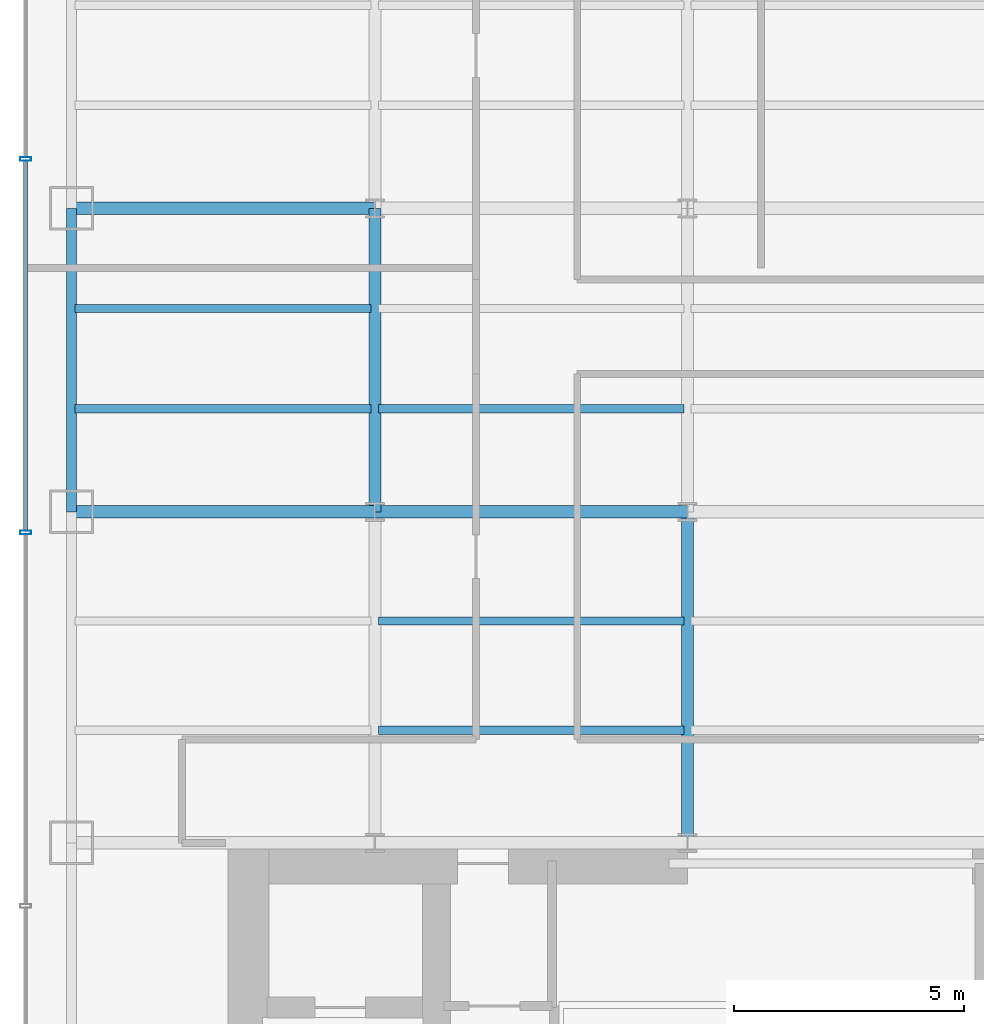
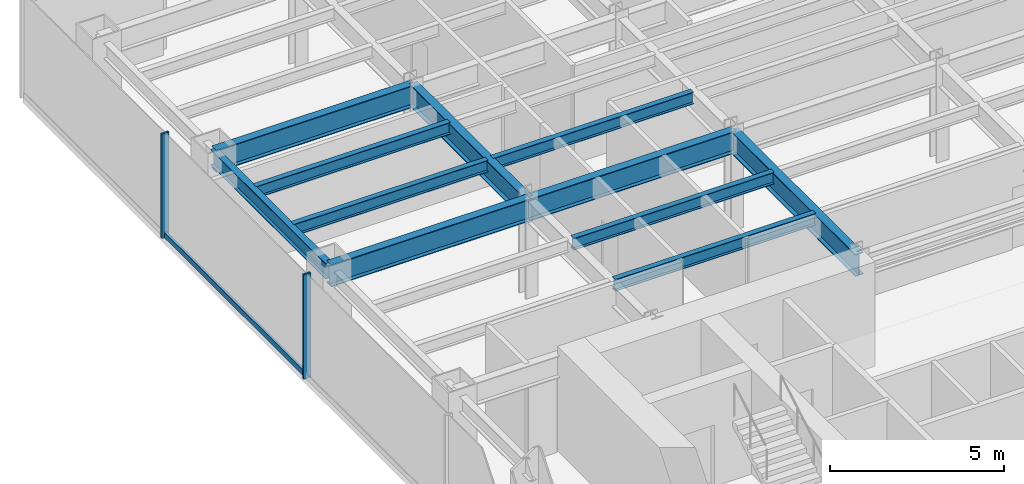
# One storey, part 4 of 22: 11 beams, 3 members, 1 element without a shape of its own.
"""IFC4 building model written with IfcOpenShell, lengths in metres."""

import ifcopenshell
import ifcopenshell.guid

model = None  # the IFC model being written
_history = None  # IfcOwnerHistory: only IFC2X3 demands one
_inside = {}  # id of a spatial element -> (the spatial element, [elements in it])
_under = {}  # id of a project, library or spatial element -> (it, [spatial elements below it])
_declared = {}  # id of a project -> (the project, [libraries it declares])
_typed = {}  # id of a type object -> (the type object, [elements of that type])
_made_of = {}  # id of a material, layer set ... -> (it, [elements and type objects made of it])


def new_model(schema):
    """Start an empty IFC model of exactly this schema.

    Asked for "IFC4X3", IfcOpenShell would pick the latest addendum, in which some entities
    have other attributes; the version numbers below select the first issue.
    IFC2X3 requires an IfcOwnerHistory on every rooted entity: one is made here for all.
    """
    global model, _history
    if schema == "IFC4X3":
        model = ifcopenshell.file(schema_version=(4, 3, 0, 0))
    else:
        model = ifcopenshell.file(schema=schema)
    _inside.clear()
    _under.clear()
    _declared.clear()
    _typed.clear()
    _made_of.clear()
    _history = None
    if model.schema == "IFC2X3":
        org = make("IfcOrganization", Name="unknown")
        user = make(
            "IfcPersonAndOrganization",
            ThePerson=make("IfcPerson", FamilyName="unknown"),
            TheOrganization=org,
        )
        app = make(
            "IfcApplication",
            ApplicationDeveloper=org,
            Version="unknown",
            ApplicationFullName="unknown",
            ApplicationIdentifier="unknown",
        )
        _history = make(
            "IfcOwnerHistory",
            OwningUser=user,
            OwningApplication=app,
            ChangeAction="ADDED",
            CreationDate=0,
        )
    return model


def make(cls, **values):
    """One entity of the class cls with the attributes given. An attribute that is None is left unset."""
    return model.create_entity(
        cls, **{name: value for name, value in values.items() if value is not None}
    )


def rooted(cls, **values):
    """An entity with a GlobalId (a new one), such as an element, a storey or a relation."""
    return make(cls, GlobalId=ifcopenshell.guid.new(), OwnerHistory=_history, **values)


def si_unit(unit_type, name, prefix=None):
    """IfcSIUnit, for example si_unit("LENGTHUNIT", "METRE", prefix="MILLI")."""
    return make("IfcSIUnit", UnitType=unit_type, Prefix=prefix, Name=name)


def derived_unit(unit_type, elements):
    """IfcDerivedUnit: a product of units, each with its exponent."""
    return make(
        "IfcDerivedUnit",
        Elements=[
            make("IfcDerivedUnitElement", Unit=unit, Exponent=power)
            for unit, power in elements
        ],
        UnitType=unit_type,
    )


def assignment(units):
    """IfcUnitAssignment: the units of a project."""
    return None if units is None else make("IfcUnitAssignment", Units=units)


def point(xyz):
    """IfcCartesianPoint."""
    return None if xyz is None else make("IfcCartesianPoint", Coordinates=xyz)


def direction(xyz):
    """IfcDirection."""
    return None if xyz is None else make("IfcDirection", DirectionRatios=xyz)


def frame(location, z_axis=None, x_axis=None):
    """IfcAxis2Placement3D, a coordinate frame: its origin and axes. An axis left out is left unset."""
    return make(
        "IfcAxis2Placement3D",
        Location=point(location),
        Axis=direction(z_axis),
        RefDirection=direction(x_axis),
    )


def frame_2d(location, x_axis=None):
    """IfcAxis2Placement2D, a coordinate frame in the plane: its origin and x axis."""
    return make(
        "IfcAxis2Placement2D", Location=point(location), RefDirection=direction(x_axis)
    )


def origin():
    """The frame at (0, 0, 0) with its axes left unset."""
    return frame((0.0, 0.0, 0.0))


def origin_2d():
    """The frame at (0, 0) in the plane with its x axis left unset."""
    return frame_2d((0.0, 0.0))


def place(relative_to, where):
    """IfcLocalPlacement: puts the frame where relative to a parent placement (None: the world)."""
    return make(
        "IfcLocalPlacement", PlacementRelTo=relative_to, RelativePlacement=where
    )


def context(
    kind, dimensions, precision=None, world=None, true_north=None, identifier=None
):
    """IfcGeometricRepresentationContext, for example the 3D "Model" context."""
    return make(
        "IfcGeometricRepresentationContext",
        ContextIdentifier=identifier,
        ContextType=kind,
        CoordinateSpaceDimension=dimensions,
        Precision=precision,
        WorldCoordinateSystem=world,
        TrueNorth=true_north,
    )


def subcontext(parent, identifier, kind, view, scale=None):
    """IfcGeometricRepresentationSubContext, for example "Body" below "Model"."""
    return make(
        "IfcGeometricRepresentationSubContext",
        ContextIdentifier=identifier,
        ContextType=kind,
        ParentContext=parent,
        TargetScale=scale,
        TargetView=view,
    )


def project(units=None, contexts=None):
    """IfcProject with its units and contexts."""
    return rooted(
        "IfcProject",
        Name="project",
        RepresentationContexts=contexts,
        UnitsInContext=assignment(units),
    )


def spatial(cls, under=None, at=None, **own):
    """A site, building, storey or space (cls), placed at a placement, below another one or the project."""
    s = rooted(cls, ObjectPlacement=at, **own)
    if under is not None:
        _under.setdefault(under.id(), (under, []))[1].append(s)
    return s


def profile(cls, at=None, kind="AREA", **sizes):
    """A parametric profile (cls). Its sizes go by their IFC names, for example OverallWidth=200.0."""
    return make(cls, ProfileType=kind, Position=at, **sizes)


def hollow_rectangle(**sizes):
    """IfcRectangleHollowProfileDef."""
    return profile("IfcRectangleHollowProfileDef", **sizes)


def i_section(**sizes):
    """IfcIShapeProfileDef."""
    return profile("IfcIShapeProfileDef", **sizes)


def extrude(swept, where, along, depth):
    """IfcExtrudedAreaSolid: the profile swept, set in the frame where, extruded along a direction by depth."""
    return make(
        "IfcExtrudedAreaSolid",
        SweptArea=swept,
        Position=where,
        ExtrudedDirection=direction(along),
        Depth=depth,
    )


def shape(context_of_items, identifier, shape_type, items):
    """IfcShapeRepresentation: the items that make up one representation, for example the "Body"."""
    return make(
        "IfcShapeRepresentation",
        ContextOfItems=context_of_items,
        RepresentationIdentifier=identifier,
        RepresentationType=shape_type,
        Items=items,
    )


def source(mapping_origin, context_of_items, identifier, shape_type, items):
    """IfcRepresentationMap: a shape defined once, which mapped items show again and again."""
    return make(
        "IfcRepresentationMap",
        MappingOrigin=mapping_origin,
        MappedRepresentation=shape(context_of_items, identifier, shape_type, items),
    )


def transform(
    local_origin,
    x_axis=None,
    y_axis=None,
    z_axis=None,
    scale=None,
    scale2=None,
    scale3=None,
    uniform=True,
):
    """IfcCartesianTransformationOperator3D, or its non-uniform kind. x_axis, y_axis, z_axis: its Axis1, 2, 3."""
    if uniform:
        return make(
            "IfcCartesianTransformationOperator3D",
            Axis1=direction(x_axis),
            Axis2=direction(y_axis),
            LocalOrigin=point(local_origin),
            Scale=scale,
            Axis3=direction(z_axis),
        )
    return make(
        "IfcCartesianTransformationOperator3DnonUniform",
        Axis1=direction(x_axis),
        Axis2=direction(y_axis),
        LocalOrigin=point(local_origin),
        Scale=scale,
        Axis3=direction(z_axis),
        Scale2=scale2,
        Scale3=scale3,
    )


def mapped(mapping_source, mapping_target):
    """IfcMappedItem: shows the shape of a source again, moved by a transform."""
    return make(
        "IfcMappedItem", MappingSource=mapping_source, MappingTarget=mapping_target
    )


def material(Name=None, Category=None):
    """IfcMaterial."""
    return make("IfcMaterial", Name=Name, Category=Category)


def material_profile(
    of_material, cross_section, Name=None, Category=None, Priority=None
):
    """IfcMaterialProfile: a cross section and its material."""
    return make(
        "IfcMaterialProfile",
        Name=Name,
        Material=of_material,
        Profile=cross_section,
        Priority=Priority,
        Category=Category,
    )


def profile_set(profiles, Name=None, composite=None):
    """IfcMaterialProfileSet."""
    return make(
        "IfcMaterialProfileSet",
        Name=Name,
        MaterialProfiles=profiles,
        CompositeProfile=composite,
    )


def made_of(thing, what):
    """Note that an element or type object is made of a material, layer set ...; save() writes the relation."""
    if what is not None:
        _made_of.setdefault(what.id(), (what, []))[1].append(thing)
    return thing


def type_object(cls, material=None, **own):
    """A type object (cls), such as IfcWallType, which elements share."""
    return made_of(rooted(cls, **own), material)


def element(
    cls,
    number,
    at=None,
    inside=None,
    cuts=None,
    type_object=None,
    material=None,
    context=None,
    identifier="Body",
    shape_type=None,
    held_by="IfcProductDefinitionShape",
    body=None,
    shapes=None,
    **own,
):
    """One element of the class cls, such as IfcWall. Its Tag is "e" and its number.

    at: its placement. inside: the storey or other place that contains it. cuts: it is an
    opening in that element (IfcRelVoidsElement). A single representation is given by context,
    identifier, shape_type and body (its items); several are given by shapes. held_by: the class
    of the entity that holds the representations. save() writes the other relations.
    """
    e = rooted(cls, Tag="e%d" % number, ObjectPlacement=at, **own)
    if body is not None:
        shapes = [shape(context, identifier, shape_type, body)]
    if shapes is not None:
        e.Representation = make(held_by, Representations=shapes)
    if inside is not None:
        _inside.setdefault(inside.id(), (inside, []))[1].append(e)
    if cuts is not None:
        rooted(
            "IfcRelVoidsElement", RelatingBuildingElement=cuts, RelatedOpeningElement=e
        )
    if type_object is not None:
        _typed.setdefault(type_object.id(), (type_object, []))[1].append(e)
    return made_of(e, material)


def aggregate(whole, parts):
    """IfcRelAggregates: a whole, such as a stair, and the parts it consists of."""
    return rooted("IfcRelAggregates", RelatingObject=whole, RelatedObjects=parts)


def save(model, path):
    """Write the relations noted so far, then the file.

    IfcRelAggregates (storeys below a building ...), IfcRelContainedInSpatialStructure (elements
    in a storey), IfcRelDefinesByType, IfcRelAssociatesMaterial and IfcRelDeclares: one each for
    every whole, place, type object, material and project.
    """
    for whole, parts in _under.values():
        aggregate(whole, parts)
    for where, things in _inside.values():
        rooted(
            "IfcRelContainedInSpatialStructure",
            RelatedElements=things,
            RelatingStructure=where,
        )
    for kind, things in _typed.values():
        rooted("IfcRelDefinesByType", RelatedObjects=things, RelatingType=kind)
    for what, things in _made_of.values():
        rooted("IfcRelAssociatesMaterial", RelatedObjects=things, RelatingMaterial=what)
    for by, libraries in _declared.values():
        rooted("IfcRelDeclares", RelatingContext=by, RelatedDefinitions=libraries)
    model.write(path)


model = new_model("IFC4")

# Units and contexts
model_context = context("Model", 3, precision=1e-05, world=origin(), true_north=direction((0.0, 1.0)))
body_context = subcontext(model_context, "Body", "Model", "MODEL_VIEW")
ifc_project = project(units=[si_unit("LENGTHUNIT", "METRE"), si_unit("AREAUNIT", "SQUARE_METRE"), si_unit("VOLUMEUNIT", "CUBIC_METRE"), si_unit("PLANEANGLEUNIT", "RADIAN"), si_unit("MASSUNIT", "GRAM", prefix="KILO"), derived_unit("THERMALTRANSMITTANCEUNIT", [(si_unit("POWERUNIT", "WATT"), 1), (si_unit("LENGTHUNIT", "METRE"), -2), (si_unit("THERMODYNAMICTEMPERATUREUNIT", "KELVIN"), -1)])], contexts=[model_context])

# Site, building, storey
site_placement = place(None, origin())
site = spatial("IfcSite", under=ifc_project, at=site_placement, CompositionType="ELEMENT")
building_placement = place(site_placement, origin())
building = spatial("IfcBuilding", under=site, at=building_placement, Name="Skarnbrae Concourse Arena and Tower", CompositionType="ELEMENT")
storey_placement = place(building_placement, frame((0.0, 0.0, 61.699951171875)))
storey = spatial("IfcBuildingStorey", under=building, at=storey_placement, Name="L14", CompositionType="ELEMENT", Elevation=61.699951171875)

# Beams
ifc_material_1 = material(Name="Steel CSA G40.21 350W", Category="steel")
ifc_material_profile_1 = material_profile(ifc_material_1, i_section(OverallWidth=0.26806640625, OverallDepth=0.77001953125, WebThickness=0.015625, FlangeThickness=0.025390625, at=origin_2d()), Name="W760X196")
ifc_profile_set_1 = profile_set([ifc_material_profile_1], Name="Steel CSA G40.21 350W")
beam_type_1 = type_object("IfcBeamType", Name="BM-GIRD-W760X196", PredefinedType="BEAM", material=ifc_profile_set_1)
shared_shape_1 = source(origin(), body_context, "Body", "SweptSolid", [
    extrude(i_section(OverallWidth=0.26806640625, OverallDepth=0.77001953125, WebThickness=0.015625, FlangeThickness=0.025390625, at=origin_2d()), origin(), (0.0, 0.0, 1.0), 6.60009765625),
])
for number, where, z_axis, x_axis, name in (
    (1, (1.0, 21.199951171875, 3.01513671875), (1.0, 0.0, 0.0), (0.0, 1.0, 0.0), "L14 Primary E-W girder Y21.2-1"),
    (2, (1.0, 27.800048828125, 3.01513671875), (1.0, 0.0, 0.0), (0.0, 1.0, 0.0), "L14 Primary E-W girder Y27.8-1"),
    (3, (7.60009765625, 21.199951171875, 3.01513671875), (0.0, 1.0, 0.0), (-1.0, 0.0, 0.0), "L14 Primary N-S girder X7.6-2"),
):
    element("IfcBeam", number, at=place(storey_placement, frame(where, z_axis=z_axis, x_axis=x_axis)), inside=storey, type_object=beam_type_1, Name=name, PredefinedType="BEAM", context=body_context, shape_type="MappedRepresentation", body=[
        mapped(shared_shape_1, transform((0.0, 0.0, 0.0))),
    ])
shared_shape_2 = source(origin(), body_context, "Body", "SweptSolid", [
    extrude(i_section(OverallWidth=0.26806640625, OverallDepth=0.77001953125, WebThickness=0.015625, FlangeThickness=0.025390625, at=origin_2d()), origin(), (0.0, 0.0, 1.0), 6.7998046875),
])
beam_1_placement = place(storey_placement, frame((7.60009765625, 21.199951171875, 3.01513671875), z_axis=(1.0, 0.0, 0.0), x_axis=(0.0, 1.0, 0.0)))
element("IfcBeam", 4, at=beam_1_placement, inside=storey, type_object=beam_type_1, Name="L14 Primary E-W girder Y21.2-2", PredefinedType="BEAM", context=body_context, shape_type="MappedRepresentation", body=[
    mapped(shared_shape_2, transform((0.0, 0.0, 0.0))),
])
ifc_material_profile_2 = material_profile(ifc_material_1, i_section(OverallWidth=0.214111328125, OverallDepth=0.549072265625, WebThickness=0.0146484375, FlangeThickness=0.023681640625, at=origin_2d()), Name="W530X138")
ifc_profile_set_2 = profile_set([ifc_material_profile_2], Name="Steel CSA G40.21 350W")
beam_type_2 = type_object("IfcBeamType", Name="BM-SPAN-W530X138", PredefinedType="SPANDREL", material=ifc_profile_set_2)
shared_shape_3 = source(origin(), body_context, "Body", "SweptSolid", [
    extrude(i_section(OverallWidth=0.214111328125, OverallDepth=0.549072265625, WebThickness=0.0146484375, FlangeThickness=0.023681640625, at=origin_2d()), origin(), (0.0, 0.0, 1.0), 6.60009765625),
])
beam_2_placement = place(storey_placement, frame((1.0, 21.199951171875, 3.12548828125), z_axis=(0.0, 1.0, 0.0), x_axis=(-1.0, 0.0, 0.0)))
element("IfcBeam", 5, at=beam_2_placement, inside=storey, type_object=beam_type_2, Name="L14 Perimeter spandrel X1.0-3", PredefinedType="SPANDREL", context=body_context, shape_type="MappedRepresentation", body=[
    mapped(shared_shape_3, transform((0.0, 0.0, 0.0))),
])
shared_shape_4 = source(origin(), body_context, "Body", "SweptSolid", [
    extrude(i_section(OverallWidth=0.26806640625, OverallDepth=0.77001953125, WebThickness=0.015625, FlangeThickness=0.025390625, at=origin_2d()), origin(), (0.0, 0.0, 1.0), 7.199951171875),
])
beam_3_placement = place(storey_placement, frame((14.39990234375, 14.0, 3.01513671875), z_axis=(0.0, 1.0, 0.0), x_axis=(-1.0, 0.0, 0.0)))
element("IfcBeam", 6, at=beam_3_placement, inside=storey, type_object=beam_type_1, Name="L14 Primary N-S girder X14.4-1", PredefinedType="BEAM", context=body_context, shape_type="MappedRepresentation", body=[
    mapped(shared_shape_4, transform((0.0, 0.0, 0.0))),
])
ifc_material_profile_3 = material_profile(ifc_material_1, i_section(OverallWidth=0.180908203125, OverallDepth=0.4169921875, WebThickness=0.010986328125, FlangeThickness=0.018310546875, at=origin_2d()), Name="W410X85")
ifc_profile_set_3 = profile_set([ifc_material_profile_3], Name="Steel CSA G40.21 350W")
beam_type_3 = type_object("IfcBeamType", Name="BM-JOIST-W410X85", PredefinedType="JOIST", material=ifc_profile_set_3)
shared_shape_5 = source(origin(), body_context, "Body", "SweptSolid", [
    extrude(i_section(OverallWidth=0.180908203125, OverallDepth=0.4169921875, WebThickness=0.010986328125, FlangeThickness=0.018310546875, at=origin_2d()), origin(), (0.0, 0.0, 1.0), 6.43994140625),
])
for number, where, z_axis, x_axis, name in (
    (7, (1.080078125, 23.444091796875, 3.191650390625), (1.0, 0.0, 0.0), (0.0, 1.0, 0.0), "L14 Secondary floor joist 2.1.1"),
    (8, (1.080078125, 25.6220703125, 3.191650390625), (1.0, 0.0, 0.0), (0.0, 1.0, 0.0), "L14 Secondary floor joist 2.2.1"),
):
    element("IfcBeam", number, at=place(storey_placement, frame(where, z_axis=z_axis, x_axis=x_axis)), inside=storey, type_object=beam_type_3, Name=name, PredefinedType="JOIST", context=body_context, shape_type="MappedRepresentation", body=[
        mapped(shared_shape_5, transform((0.0, 0.0, 0.0))),
    ])
shared_shape_6 = source(origin(), body_context, "Body", "SweptSolid", [
    extrude(i_section(OverallWidth=0.180908203125, OverallDepth=0.4169921875, WebThickness=0.010986328125, FlangeThickness=0.018310546875, at=origin_2d()), origin(), (0.0, 0.0, 1.0), 6.64013671875),
])
for number, where, z_axis, x_axis, name in (
    (9, (7.679931640625, 16.447998046875, 3.191650390625), (1.0, 0.0, 0.0), (0.0, 1.0, 0.0), "L14 Secondary floor joist 1.1.2"),
    (10, (7.679931640625, 18.823974609375, 3.191650390625), (1.0, 0.0, 0.0), (0.0, 1.0, 0.0), "L14 Secondary floor joist 1.2.2"),
    (11, (7.679931640625, 23.444091796875, 3.191650390625), (1.0, 0.0, 0.0), (0.0, 1.0, 0.0), "L14 Secondary floor joist 2.1.2"),
):
    element("IfcBeam", number, at=place(storey_placement, frame(where, z_axis=z_axis, x_axis=x_axis)), inside=storey, type_object=beam_type_3, Name=name, PredefinedType="JOIST", context=body_context, shape_type="MappedRepresentation", body=[
        mapped(shared_shape_6, transform((0.0, 0.0, 0.0))),
    ])

# Curtain wall, members
ifc_material_2 = material(Name="Bronze anodised aluminium 6063-T6", Category="aluminium")
curtain_wall_type = type_object("IfcCurtainWallType", Name="CW-SYS-02-LOWZONE", PredefinedType="USERDEFINED", material=ifc_material_2)
curtain_wall_placement = place(storey_placement, origin())
curtain_wall = element("IfcCurtainWall", 12, at=curtain_wall_placement, inside=storey, type_object=curtain_wall_type, Name="L14 Unitised curtain wall CW-L14-E19", ObjectType="UNITISED CURTAIN WALL", PredefinedType="USERDEFINED")
ifc_material_profile_4 = material_profile(ifc_material_2, hollow_rectangle(XDim=0.080078125, YDim=0.18994140625, WallThickness=0.0048828125, at=origin_2d()), Name="ALU-TRAN-80X190")
ifc_profile_set_4 = profile_set([ifc_material_profile_4], Name="Bronze anodised aluminium 6063-T6")
member_type_1 = type_object("IfcMemberType", Name="CWT-CW-02", PredefinedType="USERDEFINED", material=ifc_profile_set_4)
shared_shape_7 = source(origin(), body_context, "Body", "SweptSolid", [
    extrude(hollow_rectangle(XDim=0.080078125, YDim=0.18994140625, WallThickness=0.0048828125, at=origin_2d()), origin(), (0.0, 0.0, 1.0), 8.044921875),
])
member_1_placement = place(storey_placement, frame((0.0, 28.8349609375, 0.094970703125), z_axis=(0.0, -1.0, 0.0), x_axis=(1.0, 0.0, 0.0)))
member_1 = element("IfcMember", 13, at=member_1_placement, type_object=member_type_1, Name="CW-L14-E19 Transom 2", ObjectType="TRANSOM", PredefinedType="USERDEFINED", context=body_context, shape_type="MappedRepresentation", body=[
    mapped(shared_shape_7, transform((0.0, 0.0, 0.0))),
])
ifc_material_profile_5 = material_profile(ifc_material_2, hollow_rectangle(XDim=0.080078125, YDim=0.239990234375, WallThickness=0.0048828125, at=origin_2d()), Name="ALU-MULL-80X240")
ifc_profile_set_5 = profile_set([ifc_material_profile_5], Name="Bronze anodised aluminium 6063-T6")
member_type_2 = type_object("IfcMemberType", Name="CWM-CW-02", PredefinedType="MULLION", material=ifc_profile_set_5)
shared_shape_8 = source(origin(), body_context, "Body", "SweptSolid", [
    extrude(hollow_rectangle(XDim=0.080078125, YDim=0.239990234375, WallThickness=0.0048828125, at=origin_2d()), origin(), (0.0, 0.0, 1.0), 3.650146484375),
])
member_2_placement = place(storey_placement, frame((0.0, 28.875, 0.0), z_axis=(0.0, 0.0, 1.0), x_axis=(0.0, -1.0, 0.0)))
member_2 = element("IfcMember", 14, at=member_2_placement, type_object=member_type_2, Name="CW-L14-E19 Mullion 2", PredefinedType="MULLION", context=body_context, shape_type="MappedRepresentation", body=[
    mapped(shared_shape_8, transform((0.0, 0.0, 0.0))),
])
member_3_placement = place(storey_placement, frame((0.0, 20.75, 0.0), z_axis=(0.0, 0.0, 1.0), x_axis=(0.0, -1.0, 0.0)))
member_3 = element("IfcMember", 15, at=member_3_placement, type_object=member_type_2, Name="CW-L14-E19 Mullion 3", PredefinedType="MULLION", context=body_context, shape_type="MappedRepresentation", body=[
    mapped(shared_shape_8, transform((0.0, 0.0, 0.0))),
])
aggregate(curtain_wall, [member_2, member_3, member_1])

save(model, "model.ifc")
